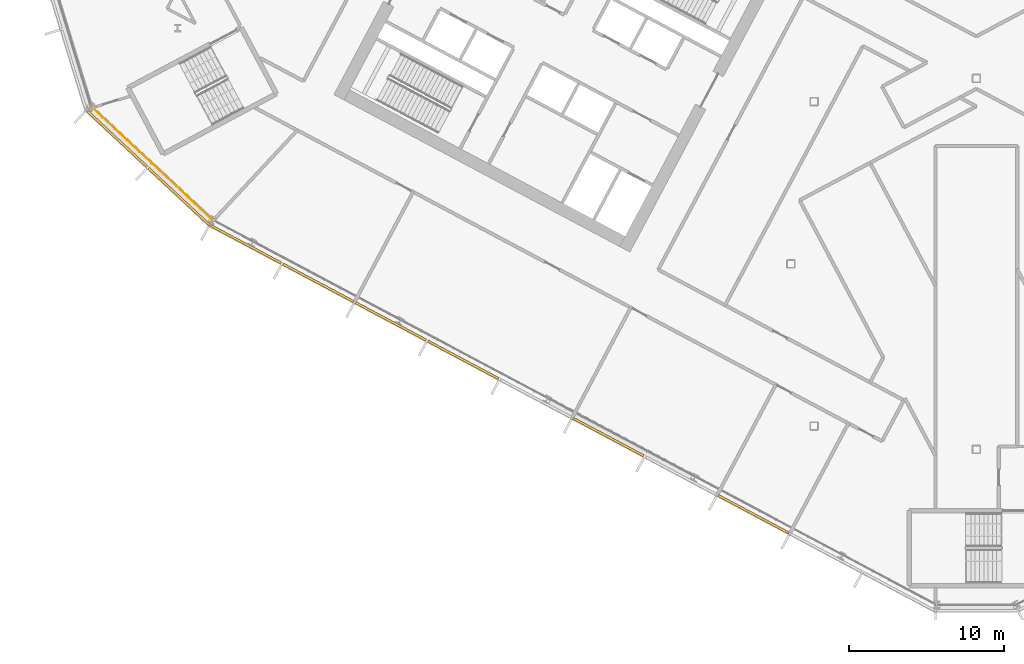
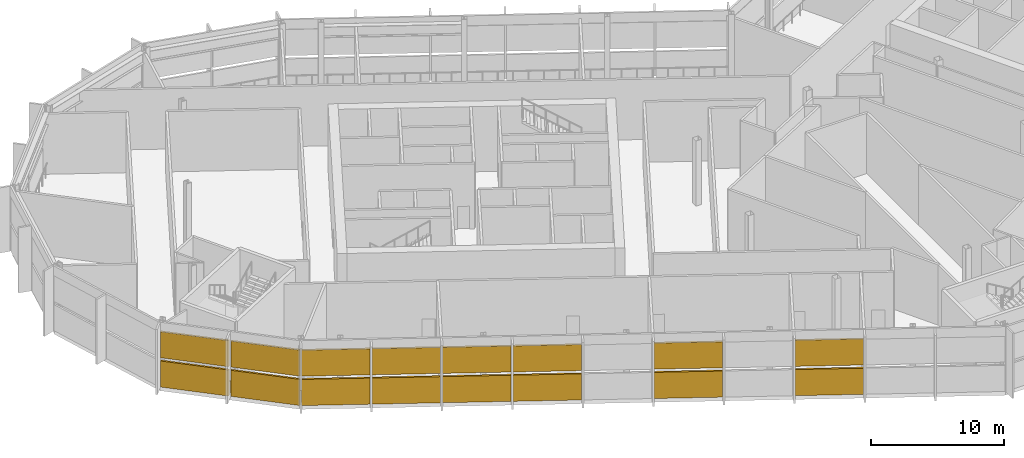
# One storey, part 20 of 33: 16 shading devices, 1 railing, 2 elements without a shape of their own.
"""IFC4 building model written with IfcOpenShell, lengths in metres."""

from ifc_helpers import new_model, si_unit, direction, frame, origin, origin_2d, place, context, subcontext, project, spatial, polyline, rectangle, outline, extrude, material, layer, layer_set, type_object, element, aggregate, save


model = new_model("IFC4")

# Units and contexts
model_context = context("Model", 3, precision=1e-05, world=origin(), true_north=direction((0.0, 1.0)))
body_context = subcontext(model_context, "Body", "Model", "MODEL_VIEW")
ifc_project = project(units=[si_unit("LENGTHUNIT", "METRE"), si_unit("AREAUNIT", "SQUARE_METRE"), si_unit("VOLUMEUNIT", "CUBIC_METRE"), si_unit("PLANEANGLEUNIT", "RADIAN"), si_unit("MASSUNIT", "GRAM", prefix="KILO")], contexts=[model_context])

# Site, building, storey
site_placement = place(None, origin())
site = spatial("IfcSite", under=ifc_project, at=site_placement, CompositionType="ELEMENT")
building_placement = place(site_placement, origin())
building = spatial("IfcBuilding", under=site, at=building_placement, Name="Cormorant Relay Tower", CompositionType="ELEMENT")
storey_placement = place(building_placement, frame((0.0, 0.0, 183.60009765625)))
storey = spatial("IfcBuildingStorey", under=building, at=storey_placement, Name="L39", CompositionType="ELEMENT", Elevation=183.60009765625)

# Railing
ifc_material_1 = material(Name="Stainless steel 316 guard", Category="steel")
railing_type = type_object("IfcRailingType", Name="Band louvre guard 1100", PredefinedType="GUARDRAIL", material=ifc_material_1)
railing_placement = place(storey_placement, frame((-57.337158203125, 10.21728515625, 0.0)))
element("IfcRailing", 1, at=railing_placement, inside=storey, type_object=railing_type, Name="CW4 guard 15", PredefinedType="GUARDRAIL", context=body_context, shape_type="SweptSolid", body=[
    extrude(outline(polyline([(0.022216796875, 0.00927734375), (0.00927734375, 0.022216796875), (-0.00927734375, 0.022216796875), (-0.022216796875, 0.00927734375), (-0.022216796875, -0.00927734375), (-0.00927734375, -0.022216796875), (0.00927734375, -0.022216796875), (0.022216796875, -0.00927734375), (0.022216796875, 0.00927734375)])), frame((0.0, 0.0, 1.076171875), z_axis=(0.731358420696, -0.681993299437, 0.0), x_axis=(0.681993299437, 0.731358420696, 0.0)), (0.0, 0.0, 1.0), 10.870361328125),
    extrude(outline(polyline([(0.019287109375, 0.008056640625), (0.008056640625, 0.019287109375), (-0.008056640625, 0.019287109375), (-0.019287109375, 0.008056640625), (-0.019287109375, -0.008056640625), (-0.008056640625, -0.019287109375), (0.008056640625, -0.019287109375), (0.019287109375, -0.008056640625), (0.019287109375, 0.008056640625)])), origin(), (0.0, 0.0, 1.0), 1.052001953125),
    extrude(outline(polyline([(0.019287109375, 0.008056640625), (0.008056640625, 0.019287109375), (-0.008056640625, 0.019287109375), (-0.019287109375, 0.008056640625), (-0.019287109375, -0.008056640625), (-0.008056640625, -0.019287109375), (0.008056640625, -0.019287109375), (0.019287109375, -0.008056640625), (0.019287109375, 0.008056640625)])), frame((0.794921875, -0.741455078125, 0.0)), (0.0, 0.0, 1.0), 1.052001953125),
    extrude(outline(polyline([(0.019287109375, 0.008056640625), (0.008056640625, 0.019287109375), (-0.008056640625, 0.019287109375), (-0.019287109375, 0.008056640625), (-0.019287109375, -0.008056640625), (-0.008056640625, -0.019287109375), (0.008056640625, -0.019287109375), (0.019287109375, -0.008056640625), (0.019287109375, 0.008056640625)])), frame((1.590087890625, -1.482666015625, 0.0)), (0.0, 0.0, 1.0), 1.052001953125),
    extrude(outline(polyline([(0.019287109375, 0.008056640625), (0.008056640625, 0.019287109375), (-0.008056640625, 0.019287109375), (-0.019287109375, 0.008056640625), (-0.019287109375, -0.008056640625), (-0.008056640625, -0.019287109375), (0.008056640625, -0.019287109375), (0.019287109375, -0.008056640625), (0.019287109375, 0.008056640625)])), frame((2.385009765625, -2.22412109375, 0.0)), (0.0, 0.0, 1.0), 1.052001953125),
    extrude(outline(polyline([(0.019287109375, 0.008056640625), (0.008056640625, 0.019287109375), (-0.008056640625, 0.019287109375), (-0.019287109375, 0.008056640625), (-0.019287109375, -0.008056640625), (-0.008056640625, -0.019287109375), (0.008056640625, -0.019287109375), (0.019287109375, -0.008056640625), (0.019287109375, 0.008056640625)])), frame((3.18017578125, -2.96533203125, 0.0)), (0.0, 0.0, 1.0), 1.052001953125),
    extrude(outline(polyline([(0.019287109375, 0.008056640625), (0.008056640625, 0.019287109375), (-0.008056640625, 0.019287109375), (-0.019287109375, 0.008056640625), (-0.019287109375, -0.008056640625), (-0.008056640625, -0.019287109375), (0.008056640625, -0.019287109375), (0.019287109375, -0.008056640625), (0.019287109375, 0.008056640625)])), frame((3.97509765625, -3.706787109375, 0.0)), (0.0, 0.0, 1.0), 1.052001953125),
    extrude(outline(polyline([(0.019287109375, 0.008056640625), (0.008056640625, 0.019287109375), (-0.008056640625, 0.019287109375), (-0.019287109375, 0.008056640625), (-0.019287109375, -0.008056640625), (-0.008056640625, -0.019287109375), (0.008056640625, -0.019287109375), (0.019287109375, -0.008056640625), (0.019287109375, 0.008056640625)])), frame((4.77001953125, -4.4482421875, 0.0)), (0.0, 0.0, 1.0), 1.052001953125),
    extrude(outline(polyline([(0.019287109375, 0.008056640625), (0.008056640625, 0.019287109375), (-0.008056640625, 0.019287109375), (-0.019287109375, 0.008056640625), (-0.019287109375, -0.008056640625), (-0.008056640625, -0.019287109375), (0.008056640625, -0.019287109375), (0.019287109375, -0.008056640625), (0.019287109375, 0.008056640625)])), frame((5.565185546875, -5.189453125, 0.0)), (0.0, 0.0, 1.0), 1.052001953125),
    extrude(outline(polyline([(0.019287109375, 0.008056640625), (0.008056640625, 0.019287109375), (-0.008056640625, 0.019287109375), (-0.019287109375, 0.008056640625), (-0.019287109375, -0.008056640625), (-0.008056640625, -0.019287109375), (0.008056640625, -0.019287109375), (0.019287109375, -0.008056640625), (0.019287109375, 0.008056640625)])), frame((6.360107421875, -5.930908203125, 0.0)), (0.0, 0.0, 1.0), 1.052001953125),
    extrude(outline(polyline([(0.019287109375, 0.008056640625), (0.008056640625, 0.019287109375), (-0.008056640625, 0.019287109375), (-0.019287109375, 0.008056640625), (-0.019287109375, -0.008056640625), (-0.008056640625, -0.019287109375), (0.008056640625, -0.019287109375), (0.019287109375, -0.008056640625), (0.019287109375, 0.008056640625)])), frame((7.1552734375, -6.672119140625, 0.0)), (0.0, 0.0, 1.0), 1.052001953125),
    extrude(outline(polyline([(0.019287109375, 0.008056640625), (0.008056640625, 0.019287109375), (-0.008056640625, 0.019287109375), (-0.019287109375, 0.008056640625), (-0.019287109375, -0.008056640625), (-0.008056640625, -0.019287109375), (0.008056640625, -0.019287109375), (0.019287109375, -0.008056640625), (0.019287109375, 0.008056640625)])), frame((7.9501953125, -7.41357421875, 0.0)), (0.0, 0.0, 1.0), 1.052001953125),
])

# Curtain wall, shading devices
ifc_material_2 = material(Name="Aluminium 6063-T6 anodised bronze", Category="aluminium")
ifc_layer = layer(ifc_material_2, 0.199951171875)
ifc_layer_set = layer_set([ifc_layer], Name="CW4 band louvre wall")
curtain_wall_type = type_object("IfcCurtainWallType", Name="CW4 band louvre wall", PredefinedType="NOTDEFINED", material=ifc_layer_set)
curtain_wall_1_placement = place(storey_placement, origin())
curtain_wall_1 = element("IfcCurtainWall", 2, at=curtain_wall_1_placement, inside=storey, type_object=curtain_wall_type, Name="CW4 curtain wall 15", PredefinedType="NOTDEFINED")
ifc_material_3 = material(Name="Aluminium 6063-T6 anodised bronze louvre", Category="aluminium")
shading_device_type = type_object("IfcShadingDeviceType", Name="CW4 bronze louvre bank 150 x 2400", PredefinedType="USERDEFINED", material=ifc_material_3)
shading_device_1_placement = place(storey_placement, frame((-55.605224609375, 8.089599609375, 2.699951171875), z_axis=(0.0, 0.0, 1.0), x_axis=(0.731353701619, -0.681998360062, 0.0)))
shading_device_1 = element("IfcShadingDevice", 3, at=shading_device_1_placement, type_object=shading_device_type, Name="CW4 louvre bank U15.1", ObjectType="LOUVRE", PredefinedType="USERDEFINED", context=body_context, shape_type="SweptSolid", body=[
    extrude(rectangle(XDim=5.28515625, YDim=0.14990234375, at=origin_2d()), origin(), (0.0, 0.0, 1.0), 2.39990234375),
])
shading_device_2_placement = place(storey_placement, frame((-55.605224609375, 8.089599609375, 0.0), z_axis=(0.0, 0.0, 1.0), x_axis=(0.731353701619, -0.681998360062, 0.0)))
shading_device_2 = element("IfcShadingDevice", 4, at=shading_device_2_placement, type_object=shading_device_type, Name="CW4 louvre bank D15.1", ObjectType="LOUVRE", PredefinedType="USERDEFINED", context=body_context, shape_type="SweptSolid", body=[
    extrude(rectangle(XDim=5.28515625, YDim=0.14990234375, at=origin_2d()), origin(), (0.0, 0.0, 1.0), 2.39990234375),
])
shading_device_3_placement = place(storey_placement, frame((-51.602783203125, 4.357421875, 2.699951171875), z_axis=(0.0, 0.0, 1.0), x_axis=(0.731353701619, -0.681998360062, 0.0)))
shading_device_3 = element("IfcShadingDevice", 5, at=shading_device_3_placement, type_object=shading_device_type, Name="CW4 louvre bank U15.2", ObjectType="LOUVRE", PredefinedType="USERDEFINED", context=body_context, shape_type="SweptSolid", body=[
    extrude(rectangle(XDim=5.360107421875, YDim=0.14990234375, at=origin_2d()), origin(), (0.0, 0.0, 1.0), 2.39990234375),
])
shading_device_4_placement = place(storey_placement, frame((-51.602783203125, 4.357421875, 0.0), z_axis=(0.0, 0.0, 1.0), x_axis=(0.731353701619, -0.681998360062, 0.0)))
shading_device_4 = element("IfcShadingDevice", 6, at=shading_device_4_placement, type_object=shading_device_type, Name="CW4 louvre bank D15.2", ObjectType="LOUVRE", PredefinedType="USERDEFINED", context=body_context, shape_type="SweptSolid", body=[
    extrude(rectangle(XDim=5.360107421875, YDim=0.14990234375, at=origin_2d()), origin(), (0.0, 0.0, 1.0), 2.39990234375),
])
aggregate(curtain_wall_1, [shading_device_1, shading_device_2, shading_device_3, shading_device_4])

curtain_wall_2_placement = place(storey_placement, origin())
curtain_wall_2 = element("IfcCurtainWall", 7, at=curtain_wall_2_placement, inside=storey, type_object=curtain_wall_type, Name="CW4 curtain wall 16", PredefinedType="NOTDEFINED")
shading_device_5_placement = place(storey_placement, frame((-47.279541015625, 1.27001953125, 2.699951171875), z_axis=(0.0, 0.0, 1.0), x_axis=(0.882947592859, -0.469471562786, 0.0)))
shading_device_5 = element("IfcShadingDevice", 8, at=shading_device_5_placement, type_object=shading_device_type, Name="CW4 louvre bank U16.1", ObjectType="LOUVRE", PredefinedType="USERDEFINED", context=body_context, shape_type="SweptSolid", body=[
    extrude(rectangle(XDim=5.16650390625, YDim=0.14990234375, at=origin_2d()), origin(), (0.0, 0.0, 1.0), 2.39990234375),
])
shading_device_6_placement = place(storey_placement, frame((-47.279541015625, 1.27001953125, 0.0), z_axis=(0.0, 0.0, 1.0), x_axis=(0.882947592859, -0.469471562786, 0.0)))
shading_device_6 = element("IfcShadingDevice", 9, at=shading_device_6_placement, type_object=shading_device_type, Name="CW4 louvre bank D16.1", ObjectType="LOUVRE", PredefinedType="USERDEFINED", context=body_context, shape_type="SweptSolid", body=[
    extrude(rectangle(XDim=5.16650390625, YDim=0.14990234375, at=origin_2d()), origin(), (0.0, 0.0, 1.0), 2.39990234375),
])
shading_device_7_placement = place(storey_placement, frame((-42.585205078125, -1.225830078125, 2.699951171875), z_axis=(0.0, 0.0, 1.0), x_axis=(0.882947592859, -0.469471562786, 0.0)))
shading_device_7 = element("IfcShadingDevice", 10, at=shading_device_7_placement, type_object=shading_device_type, Name="CW4 louvre bank U16.2", ObjectType="LOUVRE", PredefinedType="USERDEFINED", context=body_context, shape_type="SweptSolid", body=[
    extrude(rectangle(XDim=5.16650390625, YDim=0.14990234375, at=origin_2d()), origin(), (0.0, 0.0, 1.0), 2.39990234375),
])
shading_device_8_placement = place(storey_placement, frame((-42.585205078125, -1.225830078125, 0.0), z_axis=(0.0, 0.0, 1.0), x_axis=(0.882947592859, -0.469471562786, 0.0)))
shading_device_8 = element("IfcShadingDevice", 11, at=shading_device_8_placement, type_object=shading_device_type, Name="CW4 louvre bank D16.2", ObjectType="LOUVRE", PredefinedType="USERDEFINED", context=body_context, shape_type="SweptSolid", body=[
    extrude(rectangle(XDim=5.16650390625, YDim=0.14990234375, at=origin_2d()), origin(), (0.0, 0.0, 1.0), 2.39990234375),
])
shading_device_9_placement = place(storey_placement, frame((-37.89111328125, -3.721923828125, 2.699951171875), z_axis=(0.0, 0.0, 1.0), x_axis=(0.882947592859, -0.469471562786, 0.0)))
shading_device_9 = element("IfcShadingDevice", 12, at=shading_device_9_placement, type_object=shading_device_type, Name="CW4 louvre bank U16.3", ObjectType="LOUVRE", PredefinedType="USERDEFINED", context=body_context, shape_type="SweptSolid", body=[
    extrude(rectangle(XDim=5.16650390625, YDim=0.14990234375, at=origin_2d()), origin(), (0.0, 0.0, 1.0), 2.39990234375),
])
shading_device_10_placement = place(storey_placement, frame((-37.89111328125, -3.721923828125, 0.0), z_axis=(0.0, 0.0, 1.0), x_axis=(0.882947592859, -0.469471562786, 0.0)))
shading_device_10 = element("IfcShadingDevice", 13, at=shading_device_10_placement, type_object=shading_device_type, Name="CW4 louvre bank D16.3", ObjectType="LOUVRE", PredefinedType="USERDEFINED", context=body_context, shape_type="SweptSolid", body=[
    extrude(rectangle(XDim=5.16650390625, YDim=0.14990234375, at=origin_2d()), origin(), (0.0, 0.0, 1.0), 2.39990234375),
])
shading_device_11_placement = place(storey_placement, frame((-33.19677734375, -6.218017578125, 2.699951171875), z_axis=(0.0, 0.0, 1.0), x_axis=(0.882947592859, -0.469471562786, 0.0)))
shading_device_11 = element("IfcShadingDevice", 14, at=shading_device_11_placement, type_object=shading_device_type, Name="CW4 louvre bank U16.4", ObjectType="LOUVRE", PredefinedType="USERDEFINED", context=body_context, shape_type="SweptSolid", body=[
    extrude(rectangle(XDim=5.16650390625, YDim=0.14990234375, at=origin_2d()), origin(), (0.0, 0.0, 1.0), 2.39990234375),
])
shading_device_12_placement = place(storey_placement, frame((-33.19677734375, -6.218017578125, 0.0), z_axis=(0.0, 0.0, 1.0), x_axis=(0.882947592859, -0.469471562786, 0.0)))
shading_device_12 = element("IfcShadingDevice", 15, at=shading_device_12_placement, type_object=shading_device_type, Name="CW4 louvre bank D16.4", ObjectType="LOUVRE", PredefinedType="USERDEFINED", context=body_context, shape_type="SweptSolid", body=[
    extrude(rectangle(XDim=5.16650390625, YDim=0.14990234375, at=origin_2d()), origin(), (0.0, 0.0, 1.0), 2.39990234375),
])
shading_device_13_placement = place(storey_placement, frame((-23.808349609375, -11.209716796875, 2.699951171875), z_axis=(0.0, 0.0, 1.0), x_axis=(0.882947592859, -0.469471562786, 0.0)))
shading_device_13 = element("IfcShadingDevice", 16, at=shading_device_13_placement, type_object=shading_device_type, Name="CW4 louvre bank U16.6", ObjectType="LOUVRE", PredefinedType="USERDEFINED", context=body_context, shape_type="SweptSolid", body=[
    extrude(rectangle(XDim=5.16650390625, YDim=0.14990234375, at=origin_2d()), origin(), (0.0, 0.0, 1.0), 2.39990234375),
])
shading_device_14_placement = place(storey_placement, frame((-23.808349609375, -11.209716796875, 0.0), z_axis=(0.0, 0.0, 1.0), x_axis=(0.882947592859, -0.469471562786, 0.0)))
shading_device_14 = element("IfcShadingDevice", 17, at=shading_device_14_placement, type_object=shading_device_type, Name="CW4 louvre bank D16.6", ObjectType="LOUVRE", PredefinedType="USERDEFINED", context=body_context, shape_type="SweptSolid", body=[
    extrude(rectangle(XDim=5.16650390625, YDim=0.14990234375, at=origin_2d()), origin(), (0.0, 0.0, 1.0), 2.39990234375),
])
shading_device_15_placement = place(storey_placement, frame((-14.419677734375, -16.201904296875, 2.699951171875), z_axis=(0.0, 0.0, 1.0), x_axis=(0.882947592859, -0.469471562786, 0.0)))
shading_device_15 = element("IfcShadingDevice", 18, at=shading_device_15_placement, type_object=shading_device_type, Name="CW4 louvre bank U16.8", ObjectType="LOUVRE", PredefinedType="USERDEFINED", context=body_context, shape_type="SweptSolid", body=[
    extrude(rectangle(XDim=5.16650390625, YDim=0.14990234375, at=origin_2d()), origin(), (0.0, 0.0, 1.0), 2.39990234375),
])
shading_device_16_placement = place(storey_placement, frame((-14.419677734375, -16.201904296875, 0.0), z_axis=(0.0, 0.0, 1.0), x_axis=(0.882947592859, -0.469471562786, 0.0)))
shading_device_16 = element("IfcShadingDevice", 19, at=shading_device_16_placement, type_object=shading_device_type, Name="CW4 louvre bank D16.8", ObjectType="LOUVRE", PredefinedType="USERDEFINED", context=body_context, shape_type="SweptSolid", body=[
    extrude(rectangle(XDim=5.16650390625, YDim=0.14990234375, at=origin_2d()), origin(), (0.0, 0.0, 1.0), 2.39990234375),
])
aggregate(curtain_wall_2, [shading_device_5, shading_device_6, shading_device_7, shading_device_8, shading_device_9, shading_device_10, shading_device_11, shading_device_12, shading_device_13, shading_device_14, shading_device_15, shading_device_16])

save(model, "model.ifc")
